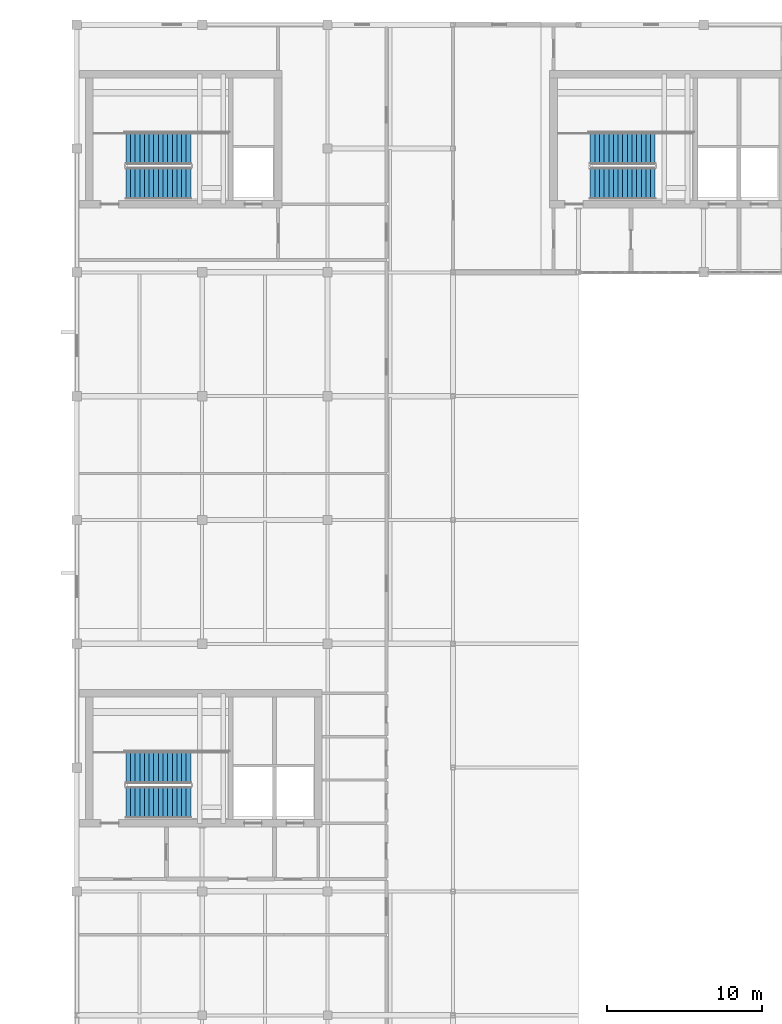
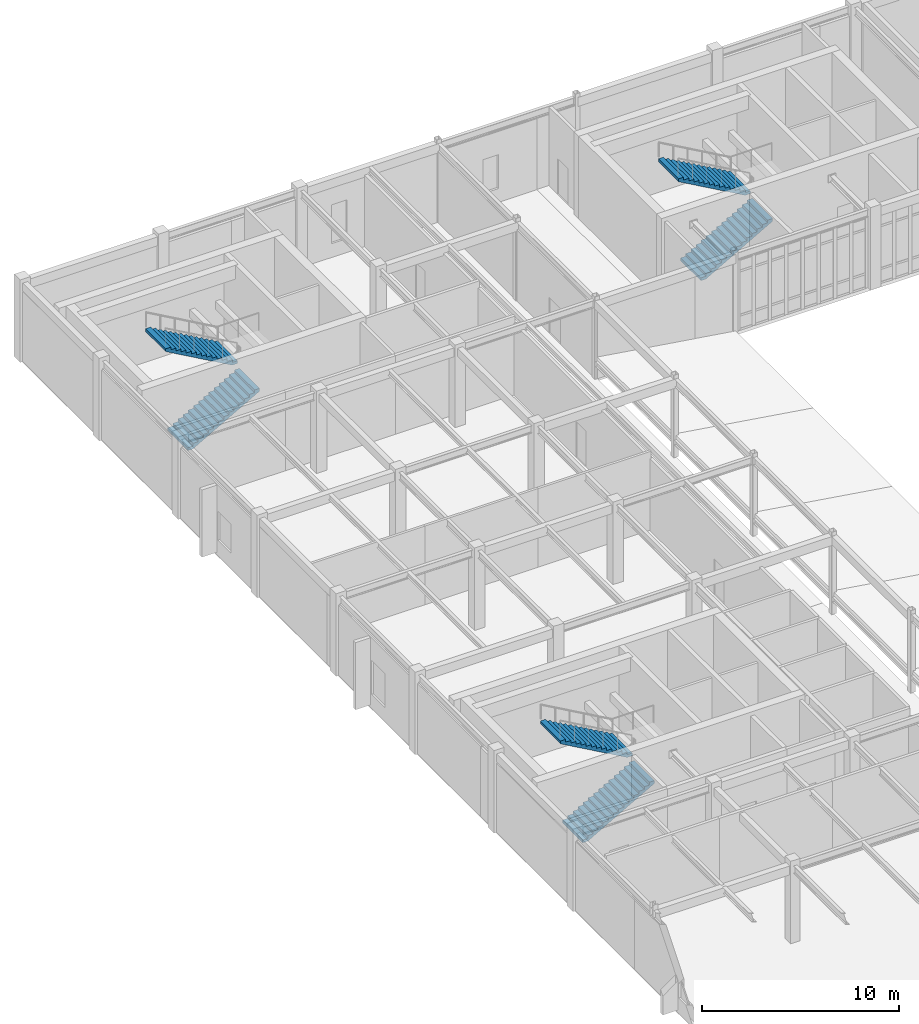
# One storey, part 65 of 70: 6 stair flights, 3 elements without a shape of their own.
"""IFC4 building model written with IfcOpenShell, lengths in metres."""

from ifc_helpers import new_model, si_unit, direction, frame, origin, place, context, subcontext, project, spatial, polyline, outline, extrude, material, type_object, element, aggregate, save


model = new_model("IFC4")

# Units and contexts
model_context = context("Model", 3, precision=1e-05, world=origin(), true_north=direction((0.0, 1.0)))
body_context = subcontext(model_context, "Body", "Model", "MODEL_VIEW")
ifc_project = project(units=[si_unit("LENGTHUNIT", "METRE"), si_unit("AREAUNIT", "SQUARE_METRE"), si_unit("VOLUMEUNIT", "CUBIC_METRE"), si_unit("PLANEANGLEUNIT", "RADIAN"), si_unit("MASSUNIT", "GRAM", prefix="KILO")], contexts=[model_context])

# Site, building, storey
site_placement = place(None, origin())
site = spatial("IfcSite", under=ifc_project, at=site_placement, CompositionType="ELEMENT")
building_placement = place(site_placement, origin())
building = spatial("IfcBuilding", under=site, at=building_placement, Name="Tarnveldt Square Police Headquarters", CompositionType="ELEMENT")
storey_placement = place(building_placement, frame((0.0, 0.0, 19.800048828125)))
storey = spatial("IfcBuildingStorey", under=building, at=storey_placement, Name="L04", CompositionType="ELEMENT", Elevation=19.800048828125)

# Stair, stair flights
ifc_material = material(Name="Concrete 40 MPa", Category="concrete")
stair_type = type_object("IfcStairType", Name="STR-HT-48A", PredefinedType="HALF_TURN_STAIR", material=ifc_material)
stair_1_placement = place(storey_placement, origin())
stair_1 = element("IfcStair", 1, at=stair_1_placement, inside=storey, type_object=stair_type, Name="L04 Core K1 Exit Stair ST1", PredefinedType="HALF_TURN_STAIR")
stair_flight_type = type_object("IfcStairFlightType", Name="STF-HT-48A", PredefinedType="STRAIGHT", material=ifc_material)
stair_flight_1_placement = place(storey_placement, frame((19.3701171875, 61.7451171875, 0.0), z_axis=(0.0, 0.0, 1.0), x_axis=(1.0, 0.0, 0.0)))
stair_flight_1 = element("IfcStairFlight", 2, at=stair_flight_1_placement, type_object=stair_flight_type, Name="ST1 flight 1", NumberOfRisers=15, NumberOfTreads=14, PredefinedType="STRAIGHT", RiserHeight=0.17, TreadLength=0.3, context=body_context, shape_type="SweptSolid", body=[
    extrude(outline(polyline([(0.0, 0.0), (0.0, 0.169921875), (0.300048828125, 0.169921875), (0.300048828125, 0.340087890625), (0.60009765625, 0.340087890625), (0.60009765625, 0.510009765625), (0.89990234375, 0.510009765625), (0.89990234375, 0.679931640625), (1.199951171875, 0.679931640625), (1.199951171875, 0.85009765625), (1.5, 0.85009765625), (1.5, 1.02001953125), (1.800048828125, 1.02001953125), (1.800048828125, 1.18994140625), (2.10009765625, 1.18994140625), (2.10009765625, 1.360107421875), (2.39990234375, 1.360107421875), (2.39990234375, 1.530029296875), (2.699951171875, 1.530029296875), (2.699951171875, 1.699951171875), (3.0, 1.699951171875), (3.0, 1.8701171875), (3.300048828125, 1.8701171875), (3.300048828125, 2.0400390625), (3.60009765625, 2.0400390625), (3.60009765625, 2.2099609375), (3.89990234375, 2.2099609375), (3.89990234375, 2.3798828125), (4.199951171875, 2.3798828125), (4.199951171875, 2.550048828125), (4.199951171875, 2.207763671875), (0.303955078125, 0.0), (0.0, 0.0)])), frame((0.0, 1.02490234375, 0.0), z_axis=(0.0, -1.0, 0.0), x_axis=(1.0, 0.0, 0.0)), (0.0, 0.0, 1.0), 2.050048828125),
])
stair_flight_2_placement = place(storey_placement, frame((23.570068359375, 63.9951171875, 2.550048828125), z_axis=(0.0, 0.0, 1.0), x_axis=(-1.0, 0.0, 0.0)))
stair_flight_2 = element("IfcStairFlight", 3, at=stair_flight_2_placement, type_object=stair_flight_type, Name="ST1 flight 2", NumberOfRisers=15, NumberOfTreads=14, PredefinedType="STRAIGHT", RiserHeight=0.17, TreadLength=0.3, context=body_context, shape_type="SweptSolid", body=[
    extrude(outline(polyline([(0.0, 0.0), (0.0, 0.169921875), (0.300048828125, 0.169921875), (0.300048828125, 0.340087890625), (0.60009765625, 0.340087890625), (0.60009765625, 0.510009765625), (0.89990234375, 0.510009765625), (0.89990234375, 0.679931640625), (1.199951171875, 0.679931640625), (1.199951171875, 0.85009765625), (1.5, 0.85009765625), (1.5, 1.02001953125), (1.800048828125, 1.02001953125), (1.800048828125, 1.18994140625), (2.10009765625, 1.18994140625), (2.10009765625, 1.360107421875), (2.39990234375, 1.360107421875), (2.39990234375, 1.530029296875), (2.699951171875, 1.530029296875), (2.699951171875, 1.699951171875), (3.0, 1.699951171875), (3.0, 1.8701171875), (3.300048828125, 1.8701171875), (3.300048828125, 2.0400390625), (3.60009765625, 2.0400390625), (3.60009765625, 2.2099609375), (3.89990234375, 2.2099609375), (3.89990234375, 2.3798828125), (4.199951171875, 2.3798828125), (4.199951171875, 2.550048828125), (4.199951171875, 2.207763671875), (0.303955078125, 0.0), (0.0, 0.0)])), frame((0.0, 1.02490234375, 0.0), z_axis=(0.0, -1.0, 0.0), x_axis=(1.0, 0.0, 0.0)), (0.0, 0.0, 1.0), 2.050048828125),
])
aggregate(stair_1, [stair_flight_1, stair_flight_2])

stair_2_placement = place(storey_placement, origin())
stair_2 = element("IfcStair", 4, at=stair_2_placement, inside=storey, type_object=stair_type, Name="L04 Core K2 Exit Stair ST2", PredefinedType="HALF_TURN_STAIR")
stair_flight_3_placement = place(storey_placement, frame((19.3701171875, 101.7451171875, 0.0), z_axis=(0.0, 0.0, 1.0), x_axis=(1.0, 0.0, 0.0)))
stair_flight_3 = element("IfcStairFlight", 5, at=stair_flight_3_placement, type_object=stair_flight_type, Name="ST2 flight 1", NumberOfRisers=15, NumberOfTreads=14, PredefinedType="STRAIGHT", RiserHeight=0.17, TreadLength=0.3, context=body_context, shape_type="SweptSolid", body=[
    extrude(outline(polyline([(0.0, 0.0), (0.0, 0.169921875), (0.300048828125, 0.169921875), (0.300048828125, 0.340087890625), (0.60009765625, 0.340087890625), (0.60009765625, 0.510009765625), (0.89990234375, 0.510009765625), (0.89990234375, 0.679931640625), (1.199951171875, 0.679931640625), (1.199951171875, 0.85009765625), (1.5, 0.85009765625), (1.5, 1.02001953125), (1.800048828125, 1.02001953125), (1.800048828125, 1.18994140625), (2.10009765625, 1.18994140625), (2.10009765625, 1.360107421875), (2.39990234375, 1.360107421875), (2.39990234375, 1.530029296875), (2.699951171875, 1.530029296875), (2.699951171875, 1.699951171875), (3.0, 1.699951171875), (3.0, 1.8701171875), (3.300048828125, 1.8701171875), (3.300048828125, 2.0400390625), (3.60009765625, 2.0400390625), (3.60009765625, 2.2099609375), (3.89990234375, 2.2099609375), (3.89990234375, 2.3798828125), (4.199951171875, 2.3798828125), (4.199951171875, 2.550048828125), (4.199951171875, 2.207763671875), (0.303955078125, 0.0), (0.0, 0.0)])), frame((0.0, 1.02490234375, 0.0), z_axis=(0.0, -1.0, 0.0), x_axis=(1.0, 0.0, 0.0)), (0.0, 0.0, 1.0), 2.050048828125),
])
stair_flight_4_placement = place(storey_placement, frame((23.570068359375, 103.9951171875, 2.550048828125), z_axis=(0.0, 0.0, 1.0), x_axis=(-1.0, 0.0, 0.0)))
stair_flight_4 = element("IfcStairFlight", 6, at=stair_flight_4_placement, type_object=stair_flight_type, Name="ST2 flight 2", NumberOfRisers=15, NumberOfTreads=14, PredefinedType="STRAIGHT", RiserHeight=0.17, TreadLength=0.3, context=body_context, shape_type="SweptSolid", body=[
    extrude(outline(polyline([(0.0, 0.0), (0.0, 0.169921875), (0.300048828125, 0.169921875), (0.300048828125, 0.340087890625), (0.60009765625, 0.340087890625), (0.60009765625, 0.510009765625), (0.89990234375, 0.510009765625), (0.89990234375, 0.679931640625), (1.199951171875, 0.679931640625), (1.199951171875, 0.85009765625), (1.5, 0.85009765625), (1.5, 1.02001953125), (1.800048828125, 1.02001953125), (1.800048828125, 1.18994140625), (2.10009765625, 1.18994140625), (2.10009765625, 1.360107421875), (2.39990234375, 1.360107421875), (2.39990234375, 1.530029296875), (2.699951171875, 1.530029296875), (2.699951171875, 1.699951171875), (3.0, 1.699951171875), (3.0, 1.8701171875), (3.300048828125, 1.8701171875), (3.300048828125, 2.0400390625), (3.60009765625, 2.0400390625), (3.60009765625, 2.2099609375), (3.89990234375, 2.2099609375), (3.89990234375, 2.3798828125), (4.199951171875, 2.3798828125), (4.199951171875, 2.550048828125), (4.199951171875, 2.207763671875), (0.303955078125, 0.0), (0.0, 0.0)])), frame((0.0, 1.02490234375, 0.0), z_axis=(0.0, -1.0, 0.0), x_axis=(1.0, 0.0, 0.0)), (0.0, 0.0, 1.0), 2.050048828125),
])
aggregate(stair_2, [stair_flight_3, stair_flight_4])

stair_3_placement = place(storey_placement, origin())
stair_3 = element("IfcStair", 7, at=stair_3_placement, inside=storey, type_object=stair_type, Name="L04 Core K3 Exit Stair ST3", PredefinedType="HALF_TURN_STAIR")
stair_flight_5_placement = place(storey_placement, frame((49.3701171875, 101.7451171875, 0.0), z_axis=(0.0, 0.0, 1.0), x_axis=(1.0, 0.0, 0.0)))
stair_flight_5 = element("IfcStairFlight", 8, at=stair_flight_5_placement, type_object=stair_flight_type, Name="ST3 flight 1", NumberOfRisers=15, NumberOfTreads=14, PredefinedType="STRAIGHT", RiserHeight=0.17, TreadLength=0.3, context=body_context, shape_type="SweptSolid", body=[
    extrude(outline(polyline([(0.0, 0.0), (0.0, 0.169921875), (0.300048828125, 0.169921875), (0.300048828125, 0.340087890625), (0.60009765625, 0.340087890625), (0.60009765625, 0.510009765625), (0.89990234375, 0.510009765625), (0.89990234375, 0.679931640625), (1.199951171875, 0.679931640625), (1.199951171875, 0.85009765625), (1.5, 0.85009765625), (1.5, 1.02001953125), (1.800048828125, 1.02001953125), (1.800048828125, 1.18994140625), (2.10009765625, 1.18994140625), (2.10009765625, 1.360107421875), (2.39990234375, 1.360107421875), (2.39990234375, 1.530029296875), (2.699951171875, 1.530029296875), (2.699951171875, 1.699951171875), (3.0, 1.699951171875), (3.0, 1.8701171875), (3.300048828125, 1.8701171875), (3.300048828125, 2.0400390625), (3.60009765625, 2.0400390625), (3.60009765625, 2.2099609375), (3.89990234375, 2.2099609375), (3.89990234375, 2.3798828125), (4.199951171875, 2.3798828125), (4.199951171875, 2.550048828125), (4.199951171875, 2.207763671875), (0.303955078125, 0.0), (0.0, 0.0)])), frame((0.0, 1.02490234375, 0.0), z_axis=(0.0, -1.0, 0.0), x_axis=(1.0, 0.0, 0.0)), (0.0, 0.0, 1.0), 2.050048828125),
])
stair_flight_6_placement = place(storey_placement, frame((53.570068359375, 103.9951171875, 2.550048828125), z_axis=(0.0, 0.0, 1.0), x_axis=(-1.0, 0.0, 0.0)))
stair_flight_6 = element("IfcStairFlight", 9, at=stair_flight_6_placement, type_object=stair_flight_type, Name="ST3 flight 2", NumberOfRisers=15, NumberOfTreads=14, PredefinedType="STRAIGHT", RiserHeight=0.17, TreadLength=0.3, context=body_context, shape_type="SweptSolid", body=[
    extrude(outline(polyline([(0.0, 0.0), (0.0, 0.169921875), (0.300048828125, 0.169921875), (0.300048828125, 0.340087890625), (0.60009765625, 0.340087890625), (0.60009765625, 0.510009765625), (0.89990234375, 0.510009765625), (0.89990234375, 0.679931640625), (1.199951171875, 0.679931640625), (1.199951171875, 0.85009765625), (1.5, 0.85009765625), (1.5, 1.02001953125), (1.800048828125, 1.02001953125), (1.800048828125, 1.18994140625), (2.10009765625, 1.18994140625), (2.10009765625, 1.360107421875), (2.39990234375, 1.360107421875), (2.39990234375, 1.530029296875), (2.699951171875, 1.530029296875), (2.699951171875, 1.699951171875), (3.0, 1.699951171875), (3.0, 1.8701171875), (3.300048828125, 1.8701171875), (3.300048828125, 2.0400390625), (3.60009765625, 2.0400390625), (3.60009765625, 2.2099609375), (3.89990234375, 2.2099609375), (3.89990234375, 2.3798828125), (4.199951171875, 2.3798828125), (4.199951171875, 2.550048828125), (4.199951171875, 2.207763671875), (0.303955078125, 0.0), (0.0, 0.0)])), frame((0.0, 1.02490234375, 0.0), z_axis=(0.0, -1.0, 0.0), x_axis=(1.0, 0.0, 0.0)), (0.0, 0.0, 1.0), 2.050048828125),
])
aggregate(stair_3, [stair_flight_5, stair_flight_6])

save(model, "model.ifc")
